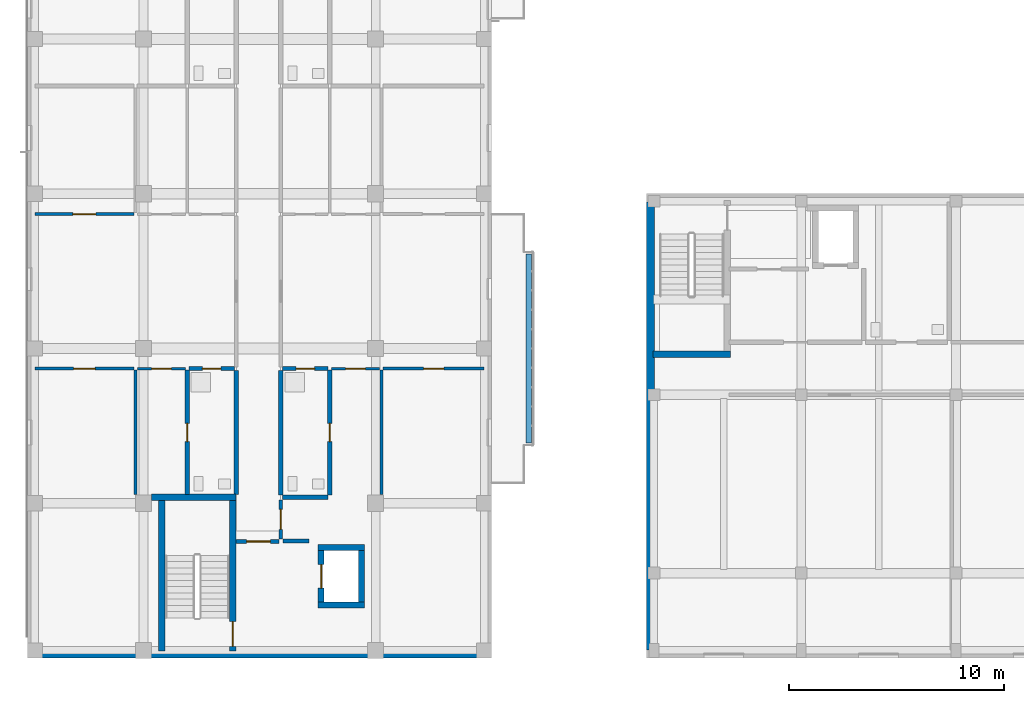
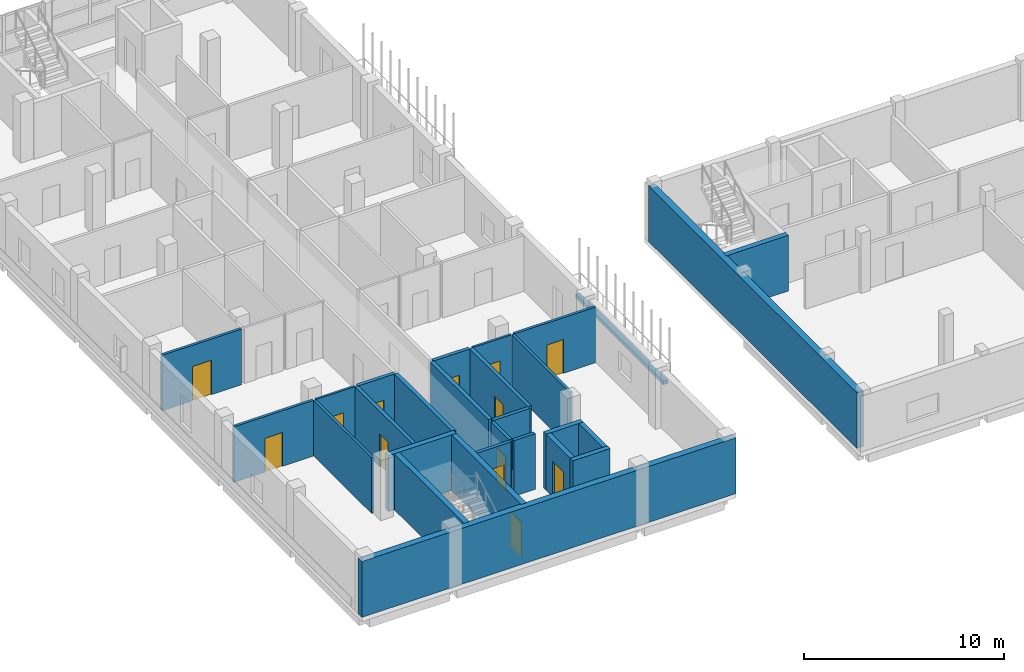
# One storey, part 34 of 73: 28 walls, 13 doors, 13 openings.
"""IFC4 building model written with IfcOpenShell, lengths in metres."""

from ifc_helpers import new_model, si_unit, derived_unit, direction, frame, frame_2d, origin, place, context, subcontext, project, spatial, rectangle, extrude, material, layer, layer_set, type_object, element, fill, save


model = new_model("IFC4")

# Units and contexts
model_context = context("Model", 3, precision=1e-05, world=origin(), true_north=direction((0.0, 1.0)))
body_context = subcontext(model_context, "Body", "Model", "MODEL_VIEW")
ifc_project = project(units=[si_unit("LENGTHUNIT", "METRE"), si_unit("AREAUNIT", "SQUARE_METRE"), si_unit("VOLUMEUNIT", "CUBIC_METRE"), si_unit("PLANEANGLEUNIT", "RADIAN"), si_unit("MASSUNIT", "GRAM", prefix="KILO"), derived_unit("THERMALTRANSMITTANCEUNIT", [(si_unit("MASSUNIT", "GRAM", prefix="KILO"), 1), (si_unit("TIMEUNIT", "SECOND"), -3), (si_unit("THERMODYNAMICTEMPERATUREUNIT", "KELVIN"), -1)])], contexts=[model_context])

# Site, building, storey
site_placement = place(None, origin())
site = spatial("IfcSite", under=ifc_project, at=site_placement, CompositionType="ELEMENT")
building_placement = place(site_placement, origin())
building = spatial("IfcBuilding", under=site, at=building_placement, Name="Ochrekiln Boulevard Commons", CompositionType="ELEMENT")
storey_placement = place(building_placement, frame((0.0, 0.0, 4.89990234375)))
storey = spatial("IfcBuildingStorey", under=building, at=storey_placement, Name="L01", CompositionType="ELEMENT", Elevation=4.89990234375)

# Walls
ifc_material_1 = material(Name="Desert ochre clinker brick masonry ASTM C216 Grade SW", Category="masonry")
ifc_layer_1 = layer(ifc_material_1, 0.3798828125)
ifc_layer_set_1 = layer_set([ifc_layer_1], Name="Desert ochre clinker brick masonry ASTM C216 Grade SW")
wall_type_1 = type_object("IfcWallType", Name="WL-EXT-ARC-380", PredefinedType="SOLIDWALL", material=ifc_layer_set_1)
wall_1_placement = place(storey_placement, frame((28.989990234375, 0.3798828125, 0.0), z_axis=(0.0, 0.0, 1.0), x_axis=(0.0, 1.0, 0.0)))
element("IfcWall", 1, at=wall_1_placement, inside=storey, type_object=wall_type_1, Name="West Boulevard Arcade L01 W Exterior Wall", PredefinedType="SOLIDWALL", context=body_context, shape_type="SweptSolid", body=[
    extrude(rectangle(XDim=20.840087890625, YDim=0.3798828125, at=frame_2d((10.419921875, 0.0))), origin(), (0.0, 0.0, 1.0), 3.400146484375),
])
ifc_material_2 = material(Name="Iron-spot brown clinker brick masonry ASTM C216 Grade SW", Category="masonry")
ifc_layer_2 = layer(ifc_material_2, 0.364990234375)
ifc_layer_set_2 = layer_set([ifc_layer_2], Name="Iron-spot brown clinker brick masonry ASTM C216 Grade SW")
wall_type_2 = type_object("IfcWallType", Name="WL-EXT-IRON-365", PredefinedType="SOLIDWALL", material=ifc_layer_set_2)
wall_2_placement = place(storey_placement, frame((0.0, 0.1826171875, 0.0), z_axis=(0.0, 0.0, 1.0), x_axis=(1.0, 0.0, 0.0)))
element("IfcWall", 2, at=wall_2_placement, inside=storey, type_object=wall_type_2, Name="Block D L01 S Exterior Wall", PredefinedType="SOLIDWALL", context=body_context, shape_type="SweptSolid", body=[
    extrude(rectangle(XDim=21.60009765625, YDim=0.364990234375, at=frame_2d((10.800048828125, 0.0))), origin(), (0.0, 0.0, 1.0), 3.4150390625),
])
ifc_material_3 = material(Name="Moisture-resistant cementitious tile backer wall")
ifc_layer_3 = layer(ifc_material_3, 0.199951171875)
ifc_layer_set_3 = layer_set([ifc_layer_3], Name="Moisture-resistant cementitious tile backer wall")
wall_type_3 = type_object("IfcWallType", Name="WL-PLM-200", PredefinedType="PLUMBINGWALL", material=ifc_layer_set_3)
wall_3_placement = place(storey_placement, frame((11.8720703125, 7.47509765625, 0.0), z_axis=(0.0, 0.0, 1.0), x_axis=(1.0, 0.0, 0.0)))
element("IfcWall", 3, at=wall_3_placement, inside=storey, type_object=wall_type_3, Name="L01 Interior Wall W-PW200", PredefinedType="PLUMBINGWALL", context=body_context, shape_type="SweptSolid", body=[
    extrude(rectangle(XDim=2.10791015625, YDim=0.199951171875, at=frame_2d((1.053955078125, 0.0))), origin(), (0.0, 0.0, 1.0), 3.39501953125),
])

# Wall, opening, door
wall_4_placement = place(storey_placement, frame((7.52001953125, 13.465087890625, 0.0), z_axis=(0.0, 0.0, 1.0), x_axis=(1.0, 0.0, 0.0)))
wall_4 = element("IfcWall", 4, at=wall_4_placement, inside=storey, type_object=wall_type_3, Name="L01 Interior Wall W-PW200", PredefinedType="PLUMBINGWALL", context=body_context, shape_type="SweptSolid", body=[
    extrude(rectangle(XDim=2.10791015625, YDim=0.199951171875, at=frame_2d((1.053955078125, 0.0))), origin(), (0.0, 0.0, 1.0), 3.39501953125),
])
opening_1_placement = place(wall_4_placement, frame((0.6201171875, 0.0, 0.0)))
opening_1 = element("IfcOpeningElement", 5, at=opening_1_placement, cuts=wall_4, Name="Opening D-L01-248", PredefinedType="OPENING", context=body_context, shape_type="SweptSolid", body=[
    extrude(rectangle(XDim=0.860107421875, YDim=2.0, at=frame_2d((0.43017578125, 1.0))), frame((0.0, 0.10986328125, 0.0), z_axis=(0.0, -1.0, 0.0), x_axis=(1.0, 0.0, 0.0)), (0.0, 0.0, 1.0), 0.219970703125),
])
ifc_material_4 = material(Name="Solid core architectural oak door leaf")
door_type_1 = type_object("IfcDoorType", Name="DR-INT-BTH-086", OperationType="NOTDEFINED", PredefinedType="DOOR", material=ifc_material_4)
door_1_placement = place(opening_1_placement, frame((0.860107421875, 0.0, 0.0), z_axis=(0.0, 0.0, 1.0), x_axis=(-1.0, 0.0, 0.0)))
door_1 = element("IfcDoor", 6, at=door_1_placement, inside=storey, type_object=door_type_1, Name="L01 Interior Door to Accessible Apartment Bathroom", OperationType="SINGLE_SWING_RIGHT", OverallHeight=2.0, OverallWidth=0.860107421875, PredefinedType="DOOR", context=body_context, shape_type="SweptSolid", body=[
    extrude(rectangle(XDim=0.860107421875, YDim=2.0, at=frame_2d((0.43017578125, 1.0))), frame((0.0, 0.02490234375, 0.0), z_axis=(0.0, -1.0, 0.0), x_axis=(1.0, 0.0, 0.0)), (0.0, 0.0, 1.0), 0.050048828125),
])
fill(opening_1, door_1)

wall_5_placement = place(storey_placement, frame((7.43994140625, 7.60009765625, 0.0), z_axis=(0.0, 0.0, 1.0), x_axis=(0.0, 1.0, 0.0)))
wall_5 = element("IfcWall", 7, at=wall_5_placement, inside=storey, type_object=wall_type_3, Name="L01 Interior Wall W-PW200", PredefinedType="PLUMBINGWALL", context=body_context, shape_type="SweptSolid", body=[
    extrude(rectangle(XDim=5.804931640625, YDim=0.199951171875, at=frame_2d((2.90234375, 0.0))), origin(), (0.0, 0.0, 1.0), 3.39501953125),
])
opening_2_placement = place(wall_5_placement, frame((2.468017578125, 0.0, 0.0)))
opening_2 = element("IfcOpeningElement", 8, at=opening_2_placement, cuts=wall_5, Name="Opening D-L01-254", PredefinedType="OPENING", context=body_context, shape_type="SweptSolid", body=[
    extrude(rectangle(XDim=0.85009765625, YDim=2.010009765625, at=frame_2d((0.425048828125, 1.0048828125))), frame((0.0, 0.10986328125, 0.0), z_axis=(0.0, -1.0, 0.0), x_axis=(1.0, 0.0, 0.0)), (0.0, 0.0, 1.0), 0.219970703125),
])
door_type_2 = type_object("IfcDoorType", Name="DR-INT-KIT-085", OperationType="NOTDEFINED", PredefinedType="DOOR", material=ifc_material_4)
door_2_placement = place(opening_2_placement, frame((0.85009765625, 0.0, 0.0), z_axis=(0.0, 0.0, 1.0), x_axis=(-1.0, 0.0, 0.0)))
door_2 = element("IfcDoor", 9, at=door_2_placement, inside=storey, type_object=door_type_2, Name="L01 Interior Door to Accessible Apartment Bathroom", OperationType="SINGLE_SWING_RIGHT", OverallHeight=2.010009765625, OverallWidth=0.85009765625, PredefinedType="DOOR", context=body_context, shape_type="SweptSolid", body=[
    extrude(rectangle(XDim=0.85009765625, YDim=2.010009765625, at=frame_2d((0.425048828125, 1.0048828125))), frame((0.0, 0.02490234375, 0.0), z_axis=(0.0, -1.0, 0.0), x_axis=(1.0, 0.0, 0.0)), (0.0, 0.0, 1.0), 0.050048828125),
])
fill(opening_2, door_2)

wall_6_placement = place(storey_placement, frame((11.8720703125, 13.465087890625, 0.0), z_axis=(0.0, 0.0, 1.0), x_axis=(1.0, 0.0, 0.0)))
wall_6 = element("IfcWall", 10, at=wall_6_placement, inside=storey, type_object=wall_type_3, Name="L01 Interior Wall W-PW200", PredefinedType="PLUMBINGWALL", context=body_context, shape_type="SweptSolid", body=[
    extrude(rectangle(XDim=2.10791015625, YDim=0.199951171875, at=frame_2d((1.053955078125, 0.0))), origin(), (0.0, 0.0, 1.0), 3.39501953125),
])
opening_3_placement = place(wall_6_placement, frame((0.6279296875, 0.0, 0.0)))
opening_3 = element("IfcOpeningElement", 11, at=opening_3_placement, cuts=wall_6, Name="Opening D-L01-259", PredefinedType="OPENING", context=body_context, shape_type="SweptSolid", body=[
    extrude(rectangle(XDim=0.860107421875, YDim=2.0, at=frame_2d((0.43017578125, 1.0))), frame((0.0, 0.10986328125, 0.0), z_axis=(0.0, -1.0, 0.0), x_axis=(1.0, 0.0, 0.0)), (0.0, 0.0, 1.0), 0.219970703125),
])
door_3_placement = place(opening_3_placement, frame((0.860107421875, 0.0, 0.0), z_axis=(0.0, 0.0, 1.0), x_axis=(-1.0, 0.0, 0.0)))
door_3 = element("IfcDoor", 12, at=door_3_placement, inside=storey, type_object=door_type_1, Name="L01 Interior Door to Apartment Bathroom", OperationType="SINGLE_SWING_LEFT", OverallHeight=2.0, OverallWidth=0.860107421875, PredefinedType="DOOR", context=body_context, shape_type="SweptSolid", body=[
    extrude(rectangle(XDim=0.860107421875, YDim=2.0, at=frame_2d((0.43017578125, 1.0))), frame((0.0, 0.02490234375, 0.0), z_axis=(0.0, -1.0, 0.0), x_axis=(1.0, 0.0, 0.0)), (0.0, 0.0, 1.0), 0.050048828125),
])
fill(opening_3, door_3)

wall_7_placement = place(storey_placement, frame((14.06005859375, 7.574951171875, 0.0), z_axis=(0.0, 0.0, 1.0), x_axis=(0.0, 1.0, 0.0)))
wall_7 = element("IfcWall", 13, at=wall_7_placement, inside=storey, type_object=wall_type_3, Name="L01 Interior Wall W-PW200", PredefinedType="PLUMBINGWALL", context=body_context, shape_type="SweptSolid", body=[
    extrude(rectangle(XDim=5.830078125, YDim=0.199951171875, at=frame_2d((2.9150390625, 0.0))), origin(), (0.0, 0.0, 1.0), 3.39501953125),
])
opening_4_placement = place(wall_7_placement, frame((2.491943359375, 0.0, 0.0)))
opening_4 = element("IfcOpeningElement", 14, at=opening_4_placement, cuts=wall_7, Name="Opening D-L01-265", PredefinedType="OPENING", context=body_context, shape_type="SweptSolid", body=[
    extrude(rectangle(XDim=0.85009765625, YDim=2.010009765625, at=frame_2d((0.425048828125, 1.0048828125))), frame((0.0, 0.10986328125, 0.0), z_axis=(0.0, -1.0, 0.0), x_axis=(1.0, 0.0, 0.0)), (0.0, 0.0, 1.0), 0.219970703125),
])
door_4_placement = place(opening_4_placement, origin())
door_4 = element("IfcDoor", 15, at=door_4_placement, inside=storey, type_object=door_type_2, Name="L01 Interior Door to Apartment Bathroom", OperationType="SINGLE_SWING_LEFT", OverallHeight=2.010009765625, OverallWidth=0.85009765625, PredefinedType="DOOR", context=body_context, shape_type="SweptSolid", body=[
    extrude(rectangle(XDim=0.85009765625, YDim=2.010009765625, at=frame_2d((0.425048828125, 1.0048828125))), frame((0.0, 0.02490234375, 0.0), z_axis=(0.0, -1.0, 0.0), x_axis=(1.0, 0.0, 0.0)), (0.0, 0.0, 1.0), 0.050048828125),
])
fill(opening_4, door_4)

# Walls
ifc_layer_4 = layer(ifc_material_3, 0.219970703125)
ifc_layer_set_4 = layer_set([ifc_layer_4], Name="Moisture-resistant cementitious tile backer wall")
wall_type_4 = type_object("IfcWallType", Name="WL-PLM-220", PredefinedType="PLUMBINGWALL", material=ifc_layer_set_4)
wall_8_placement = place(storey_placement, frame((9.7099609375, 7.60009765625, 0.0), z_axis=(0.0, 0.0, 1.0), x_axis=(0.0, 1.0, 0.0)))
element("IfcWall", 16, at=wall_8_placement, inside=storey, type_object=wall_type_4, Name="L01 Interior Wall W-PW220", PredefinedType="PLUMBINGWALL", context=body_context, shape_type="SweptSolid", body=[
    extrude(rectangle(XDim=5.784912109375, YDim=0.219970703125, at=frame_2d((2.892578125, 0.0))), origin(), (0.0, 0.0, 1.0), 3.39501953125),
])
wall_9_placement = place(storey_placement, frame((11.7900390625, 7.574951171875, 0.0), z_axis=(0.0, 0.0, 1.0), x_axis=(0.0, 1.0, 0.0)))
element("IfcWall", 17, at=wall_9_placement, inside=storey, type_object=wall_type_4, Name="L01 Interior Wall W-PW220", PredefinedType="PLUMBINGWALL", context=body_context, shape_type="SweptSolid", body=[
    extrude(rectangle(XDim=5.81005859375, YDim=0.219970703125, at=frame_2d((2.905029296875, 0.0))), origin(), (0.0, 0.0, 1.0), 3.39501953125),
])
ifc_material_5 = material(Name="Glazed architectural terracotta ASTM C1405", Category="masonry")
ifc_layer_5 = layer(ifc_material_5, 0.25)
ifc_layer_set_5 = layer_set([ifc_layer_5], Name="Glazed architectural terracotta ASTM C1405")
wall_type_5 = type_object("IfcWallType", Name="WL-PLN-250", PredefinedType="PARAPET", material=ifc_layer_set_5)
wall_10_placement = place(storey_placement, frame((23.320068359375, 10.010009765625, 0.0), z_axis=(0.0, 0.0, 1.0), x_axis=(0.0, 1.0, 0.0)))
element("IfcWall", 18, at=wall_10_placement, inside=storey, type_object=wall_type_5, Name="Block D L01 Balcony Terracotta Planter Box 1", PredefinedType="PARAPET", context=body_context, shape_type="SweptSolid", body=[
    extrude(rectangle(XDim=8.780029296875, YDim=0.25, at=frame_2d((4.39013671875, 0.0))), origin(), (0.0, 0.0, 1.0), 0.22998046875),
])

# Wall, opening, door
ifc_material_6 = material(Name="Fire-rated Type X gypsum board on steel studs", Category="steel")
ifc_layer_6 = layer(ifc_material_6, 0.1650390625)
ifc_layer_set_6 = layer_set([ifc_layer_6], Name="Fire-rated Type X gypsum board on steel studs")
wall_type_6 = type_object("IfcWallType", Name="WL-PT-CORR-165", PredefinedType="PARTITIONING", material=ifc_layer_set_6)
wall_11_placement = place(storey_placement, frame((11.7900390625, 5.530029296875, 0.0), z_axis=(0.0, 0.0, 1.0), x_axis=(0.0, 1.0, 0.0)))
wall_11 = element("IfcWall", 19, at=wall_11_placement, inside=storey, type_object=wall_type_6, Name="L01 Interior Wall W-PC165", PredefinedType="PARTITIONING", context=body_context, shape_type="SweptSolid", body=[
    extrude(rectangle(XDim=1.820068359375, YDim=0.1650390625, at=frame_2d((0.91015625, 0.0))), origin(), (0.0, 0.0, 1.0), 3.39501953125),
])
opening_5_placement = place(wall_11_placement, frame((0.4599609375, 0.0, 0.0)))
opening_5 = element("IfcOpeningElement", 20, at=opening_5_placement, cuts=wall_11, Name="Opening D-L01-243", PredefinedType="OPENING", context=body_context, shape_type="SweptSolid", body=[
    extrude(rectangle(XDim=0.919921875, YDim=2.0400390625, at=frame_2d((0.4599609375, 1.02001953125))), frame((0.0, 0.092529296875, 0.0), z_axis=(0.0, -1.0, 0.0), x_axis=(1.0, 0.0, 0.0)), (0.0, 0.0, 1.0), 0.18505859375),
])
ifc_material_7 = material(Name="Hollow metal fire-rated steel door assembly", Category="steel")
door_type_3 = type_object("IfcDoorType", Name="DR-SRV-90", OperationType="NOTDEFINED", PredefinedType="DOOR", material=ifc_material_7)
door_5_placement = place(opening_5_placement, frame((0.919921875, 0.0, 0.0), z_axis=(0.0, 0.0, 1.0), x_axis=(-1.0, 0.0, 0.0)))
door_5 = element("IfcDoor", 21, at=door_5_placement, inside=storey, type_object=door_type_3, Name="L01 Interior Door to Hydronic and Electrical Riser Room", OperationType="SINGLE_SWING_LEFT", OverallHeight=2.0400390625, OverallWidth=0.919921875, PredefinedType="DOOR", context=body_context, shape_type="SweptSolid", body=[
    extrude(rectangle(XDim=0.919921875, YDim=2.0400390625, at=frame_2d((0.4599609375, 1.02001953125))), frame((0.0, 0.02490234375, 0.0), z_axis=(0.0, -1.0, 0.0), x_axis=(1.0, 0.0, 0.0)), (0.0, 0.0, 1.0), 0.050048828125),
])
fill(opening_5, door_5)

# Wall
ifc_layer_7 = layer(ifc_material_6, 0.18994140625)
ifc_layer_set_7 = layer_set([ifc_layer_7], Name="Fire-rated Type X gypsum board on steel studs")
wall_type_7 = type_object("IfcWallType", Name="WL-PT-LBY-190", PredefinedType="PARTITIONING", material=ifc_layer_set_7)
wall_12_placement = place(storey_placement, frame((11.8798828125, 5.43505859375, 0.0), z_axis=(0.0, 0.0, 1.0), x_axis=(1.0, 0.0, 0.0)))
element("IfcWall", 22, at=wall_12_placement, inside=storey, type_object=wall_type_7, Name="L01 Interior Wall W-PL190", PredefinedType="PARTITIONING", context=body_context, shape_type="SweptSolid", body=[
    extrude(rectangle(XDim=1.22021484375, YDim=0.18994140625, at=frame_2d((0.610107421875, 0.0))), origin(), (0.0, 0.0, 1.0), 3.39501953125),
])

# Wall, opening, door
wall_13_placement = place(storey_placement, frame((9.699951171875, 5.419921875, 0.0), z_axis=(0.0, 0.0, 1.0), x_axis=(1.0, 0.0, 0.0)))
wall_13 = element("IfcWall", 23, at=wall_13_placement, inside=storey, type_object=wall_type_7, Name="L01 Interior Wall W-PL190", PredefinedType="PARTITIONING", context=body_context, shape_type="SweptSolid", body=[
    extrude(rectangle(XDim=2.0, YDim=0.18994140625, at=frame_2d((1.0, 0.0))), origin(), (0.0, 0.0, 1.0), 3.39501953125),
])
opening_6_placement = place(wall_13_placement, frame((0.5, 0.0, 0.0)))
opening_6 = element("IfcOpeningElement", 24, at=opening_6_placement, cuts=wall_13, Name="Opening D-L01-241", PredefinedType="OPENING", context=body_context, shape_type="SweptSolid", body=[
    extrude(rectangle(XDim=1.10009765625, YDim=2.1201171875, at=frame_2d((0.550048828125, 1.06005859375))), frame((0.0, 0.10498046875, 0.0), z_axis=(0.0, -1.0, 0.0), x_axis=(1.0, 0.0, 0.0)), (0.0, 0.0, 1.0), 0.2099609375),
])
door_type_4 = type_object("IfcDoorType", Name="DR-LOBBY-60", OperationType="NOTDEFINED", PredefinedType="DOOR", material=ifc_material_7)
door_6_placement = place(opening_6_placement, frame((1.10009765625, 0.0, 0.0), z_axis=(0.0, 0.0, 1.0), x_axis=(-1.0, 0.0, 0.0)))
door_6 = element("IfcDoor", 25, at=door_6_placement, inside=storey, type_object=door_type_4, Name="L01 Interior Door to Passenger Elevator Lobby", OperationType="SINGLE_SWING_LEFT", OverallHeight=2.1201171875, OverallWidth=1.10009765625, PredefinedType="DOOR", context=body_context, shape_type="SweptSolid", body=[
    extrude(rectangle(XDim=1.10009765625, YDim=2.1201171875, at=frame_2d((0.550048828125, 1.06005859375))), frame((0.0, 0.02490234375, 0.0), z_axis=(0.0, -1.0, 0.0), x_axis=(1.0, 0.0, 0.0)), (0.0, 0.0, 1.0), 0.050048828125),
])
fill(opening_6, door_6)

ifc_layer_8 = layer(ifc_material_6, 0.1201171875)
ifc_layer_set_8 = layer_set([ifc_layer_8], Name="Fire-rated Type X gypsum board on steel studs")
wall_type_8 = type_object("IfcWallType", Name="WL-PT-LGT-120", PredefinedType="PARTITIONING", material=ifc_layer_set_8)
wall_14_placement = place(storey_placement, frame((5.110107421875, 13.465087890625, 0.0), z_axis=(0.0, 0.0, 1.0), x_axis=(1.0, 0.0, 0.0)))
wall_14 = element("IfcWall", 26, at=wall_14_placement, inside=storey, type_object=wall_type_8, Name="L01 Interior Wall W-PL120", PredefinedType="PARTITIONING", context=body_context, shape_type="SweptSolid", body=[
    extrude(rectangle(XDim=2.25, YDim=0.1201171875, at=frame_2d((1.125, 0.0))), origin(), (0.0, 0.0, 1.0), 3.39501953125),
])
opening_7_placement = place(wall_14_placement, frame((0.6650390625, 0.0, 0.0)))
opening_7 = element("IfcOpeningElement", 27, at=opening_7_placement, cuts=wall_14, Name="Opening D-L01-251", PredefinedType="OPENING", context=body_context, shape_type="SweptSolid", body=[
    extrude(rectangle(XDim=0.919921875, YDim=2.02001953125, at=frame_2d((0.4599609375, 1.010009765625))), frame((0.0, 0.070068359375, 0.0), z_axis=(0.0, -1.0, 0.0), x_axis=(1.0, 0.0, 0.0)), (0.0, 0.0, 1.0), 0.14013671875),
])
door_type_5 = type_object("IfcDoorType", Name="DR-INT-KIT-092", OperationType="NOTDEFINED", PredefinedType="DOOR", material=ifc_material_4)
door_7_placement = place(opening_7_placement, frame((0.919921875, 0.0, 0.0), z_axis=(0.0, 0.0, 1.0), x_axis=(-1.0, 0.0, 0.0)))
door_7 = element("IfcDoor", 28, at=door_7_placement, inside=storey, type_object=door_type_5, Name="L01 Interior Door to Apartment Walk-In Wardrobe", OperationType="SINGLE_SWING_LEFT", OverallHeight=2.02001953125, OverallWidth=0.919921875, PredefinedType="DOOR", context=body_context, shape_type="SweptSolid", body=[
    extrude(rectangle(XDim=0.919921875, YDim=2.02001953125, at=frame_2d((0.4599609375, 1.010009765625))), frame((0.0, 0.02490234375, 0.0), z_axis=(0.0, -1.0, 0.0), x_axis=(1.0, 0.0, 0.0)), (0.0, 0.0, 1.0), 0.050048828125),
])
fill(opening_7, door_7)

wall_15_placement = place(storey_placement, frame((14.139892578125, 13.465087890625, 0.0), z_axis=(0.0, 0.0, 1.0), x_axis=(1.0, 0.0, 0.0)))
wall_15 = element("IfcWall", 29, at=wall_15_placement, inside=storey, type_object=wall_type_8, Name="L01 Interior Wall W-PL120", PredefinedType="PARTITIONING", context=body_context, shape_type="SweptSolid", body=[
    extrude(rectangle(XDim=2.25, YDim=0.1201171875, at=frame_2d((1.125, 0.0))), origin(), (0.0, 0.0, 1.0), 3.39501953125),
])
opening_8_placement = place(wall_15_placement, frame((0.6650390625, 0.0, 0.0)))
opening_8 = element("IfcOpeningElement", 30, at=opening_8_placement, cuts=wall_15, Name="Opening D-L01-262", PredefinedType="OPENING", context=body_context, shape_type="SweptSolid", body=[
    extrude(rectangle(XDim=0.919921875, YDim=2.02001953125, at=frame_2d((0.4599609375, 1.010009765625))), frame((0.0, 0.070068359375, 0.0), z_axis=(0.0, -1.0, 0.0), x_axis=(1.0, 0.0, 0.0)), (0.0, 0.0, 1.0), 0.14013671875),
])
door_8_placement = place(opening_8_placement, frame((0.919921875, 0.0, 0.0), z_axis=(0.0, 0.0, 1.0), x_axis=(-1.0, 0.0, 0.0)))
door_8 = element("IfcDoor", 31, at=door_8_placement, inside=storey, type_object=door_type_5, Name="L01 Interior Door to Apartment Walk-In Wardrobe", OperationType="SINGLE_SWING_RIGHT", OverallHeight=2.02001953125, OverallWidth=0.919921875, PredefinedType="DOOR", context=body_context, shape_type="SweptSolid", body=[
    extrude(rectangle(XDim=0.919921875, YDim=2.02001953125, at=frame_2d((0.4599609375, 1.010009765625))), frame((0.0, 0.02490234375, 0.0), z_axis=(0.0, -1.0, 0.0), x_axis=(1.0, 0.0, 0.0)), (0.0, 0.0, 1.0), 0.050048828125),
])
fill(opening_8, door_8)

ifc_layer_9 = layer(ifc_material_6, 0.14990234375)
ifc_layer_set_9 = layer_set([ifc_layer_9], Name="Fire-rated Type X gypsum board on steel studs")
wall_type_9 = type_object("IfcWallType", Name="WL-PT-STD-150", PredefinedType="PARTITIONING", material=ifc_layer_set_9)
wall_16_placement = place(storey_placement, frame((0.35009765625, 13.465087890625, 0.0), z_axis=(0.0, 0.0, 1.0), x_axis=(1.0, 0.0, 0.0)))
wall_16 = element("IfcWall", 32, at=wall_16_placement, inside=storey, type_object=wall_type_9, Name="L01 Interior Wall W-PS150", PredefinedType="PARTITIONING", context=body_context, shape_type="SweptSolid", body=[
    extrude(rectangle(XDim=4.599853515625, YDim=0.14990234375, at=frame_2d((2.2998046875, 0.0))), origin(), (0.0, 0.0, 1.0), 3.39501953125),
])
opening_9_placement = place(wall_16_placement, frame((1.800048828125, 0.0, 0.0)))
opening_9 = element("IfcOpeningElement", 33, at=opening_9_placement, cuts=wall_16, Name="Opening D-L01-250", PredefinedType="OPENING", context=body_context, shape_type="SweptSolid", body=[
    extrude(rectangle(XDim=1.0, YDim=2.06005859375, at=frame_2d((0.5, 1.030029296875))), frame((0.0, 0.0849609375, 0.0), z_axis=(0.0, -1.0, 0.0), x_axis=(1.0, 0.0, 0.0)), (0.0, 0.0, 1.0), 0.169921875),
])
door_type_6 = type_object("IfcDoorType", Name="DR-INT-BED-100", OperationType="NOTDEFINED", PredefinedType="DOOR", material=ifc_material_4)
door_9_placement = place(opening_9_placement, frame((1.0, 0.0, 0.0), z_axis=(0.0, 0.0, 1.0), x_axis=(-1.0, 0.0, 0.0)))
door_9 = element("IfcDoor", 34, at=door_9_placement, inside=storey, type_object=door_type_6, Name="L01 Interior Door to Primary Apartment Bedroom", OperationType="SINGLE_SWING_RIGHT", OverallHeight=2.06005859375, OverallWidth=1.0, PredefinedType="DOOR", context=body_context, shape_type="SweptSolid", body=[
    extrude(rectangle(XDim=1.0, YDim=2.06005859375, at=frame_2d((0.5, 1.030029296875))), frame((0.0, 0.02490234375, 0.0), z_axis=(0.0, -1.0, 0.0), x_axis=(1.0, 0.0, 0.0)), (0.0, 0.0, 1.0), 0.050048828125),
])
fill(opening_9, door_9)

wall_17_placement = place(storey_placement, frame((0.35009765625, 20.653076171875, 0.0), z_axis=(0.0, 0.0, 1.0), x_axis=(1.0, 0.0, 0.0)))
wall_17 = element("IfcWall", 35, at=wall_17_placement, inside=storey, type_object=wall_type_9, Name="L01 Interior Wall W-PS150", PredefinedType="PARTITIONING", context=body_context, shape_type="SweptSolid", body=[
    extrude(rectangle(XDim=4.599853515625, YDim=0.14990234375, at=frame_2d((2.2998046875, 0.0))), origin(), (0.0, 0.0, 1.0), 3.39501953125),
])
opening_10_placement = place(wall_17_placement, frame((1.760009765625, 0.0, 0.0)))
opening_10 = element("IfcOpeningElement", 36, at=opening_10_placement, cuts=wall_17, Name="Opening D-L01-252", PredefinedType="OPENING", context=body_context, shape_type="SweptSolid", body=[
    extrude(rectangle(XDim=1.080078125, YDim=2.10009765625, at=frame_2d((0.5400390625, 1.050048828125))), frame((0.0, 0.0849609375, 0.0), z_axis=(0.0, -1.0, 0.0), x_axis=(1.0, 0.0, 0.0)), (0.0, 0.0, 1.0), 0.169921875),
])
door_type_7 = type_object("IfcDoorType", Name="DR-INT-BED-108", OperationType="NOTDEFINED", PredefinedType="DOOR", material=ifc_material_4)
door_10_placement = place(opening_10_placement, origin())
door_10 = element("IfcDoor", 37, at=door_10_placement, inside=storey, type_object=door_type_7, Name="L01 Interior Door to Secondary Apartment Bedroom", OperationType="SINGLE_SWING_RIGHT", OverallHeight=2.10009765625, OverallWidth=1.080078125, PredefinedType="DOOR", context=body_context, shape_type="SweptSolid", body=[
    extrude(rectangle(XDim=1.080078125, YDim=2.10009765625, at=frame_2d((0.5400390625, 1.050048828125))), frame((0.0, 0.02490234375, 0.0), z_axis=(0.0, -1.0, 0.0), x_axis=(1.0, 0.0, 0.0)), (0.0, 0.0, 1.0), 0.050048828125),
])
fill(opening_10, door_10)

# Wall
wall_18_placement = place(storey_placement, frame((5.030029296875, 7.60009765625, 0.0), z_axis=(0.0, 0.0, 1.0), x_axis=(0.0, 1.0, 0.0)))
element("IfcWall", 38, at=wall_18_placement, inside=storey, type_object=wall_type_9, Name="L01 Interior Wall W-PS150", PredefinedType="PARTITIONING", context=body_context, shape_type="SweptSolid", body=[
    extrude(rectangle(XDim=5.789794921875, YDim=0.14990234375, at=frame_2d((2.89501953125, 0.0))), origin(), (0.0, 0.0, 1.0), 3.39501953125),
])

# Wall, opening, door
wall_19_placement = place(storey_placement, frame((16.550048828125, 13.465087890625, 0.0), z_axis=(0.0, 0.0, 1.0), x_axis=(1.0, 0.0, 0.0)))
wall_19 = element("IfcWall", 39, at=wall_19_placement, inside=storey, type_object=wall_type_9, Name="L01 Interior Wall W-PS150", PredefinedType="PARTITIONING", context=body_context, shape_type="SweptSolid", body=[
    extrude(rectangle(XDim=4.699951171875, YDim=0.14990234375, at=frame_2d((2.35009765625, 0.0))), origin(), (0.0, 0.0, 1.0), 3.39501953125),
])
opening_11_placement = place(wall_19_placement, frame((1.8798828125, 0.0, 0.0)))
opening_11 = element("IfcOpeningElement", 40, at=opening_11_placement, cuts=wall_19, Name="Opening D-L01-261", PredefinedType="OPENING", context=body_context, shape_type="SweptSolid", body=[
    extrude(rectangle(XDim=0.93994140625, YDim=2.06005859375, at=frame_2d((0.469970703125, 1.030029296875))), frame((0.0, 0.0849609375, 0.0), z_axis=(0.0, -1.0, 0.0), x_axis=(1.0, 0.0, 0.0)), (0.0, 0.0, 1.0), 0.169921875),
])
door_type_8 = type_object("IfcDoorType", Name="DR-INT-BED-094", OperationType="NOTDEFINED", PredefinedType="DOOR", material=ifc_material_4)
door_11_placement = place(opening_11_placement, frame((0.93994140625, 0.0, 0.0), z_axis=(0.0, 0.0, 1.0), x_axis=(-1.0, 0.0, 0.0)))
door_11 = element("IfcDoor", 41, at=door_11_placement, inside=storey, type_object=door_type_8, Name="L01 Interior Door to Primary Apartment Bedroom", OperationType="SINGLE_SWING_LEFT", OverallHeight=2.06005859375, OverallWidth=0.93994140625, PredefinedType="DOOR", context=body_context, shape_type="SweptSolid", body=[
    extrude(rectangle(XDim=0.93994140625, YDim=2.06005859375, at=frame_2d((0.469970703125, 1.030029296875))), frame((0.0, 0.02490234375, 0.0), z_axis=(0.0, -1.0, 0.0), x_axis=(1.0, 0.0, 0.0)), (0.0, 0.0, 1.0), 0.050048828125),
])
fill(opening_11, door_11)

# Walls
wall_20_placement = place(storey_placement, frame((16.469970703125, 7.60009765625, 0.0), z_axis=(0.0, 0.0, 1.0), x_axis=(0.0, 1.0, 0.0)))
element("IfcWall", 42, at=wall_20_placement, inside=storey, type_object=wall_type_9, Name="L01 Interior Wall W-PS150", PredefinedType="PARTITIONING", context=body_context, shape_type="SweptSolid", body=[
    extrude(rectangle(XDim=5.789794921875, YDim=0.14990234375, at=frame_2d((2.89501953125, 0.0))), origin(), (0.0, 0.0, 1.0), 3.39501953125),
])
ifc_material_8 = material(Name="Concrete C40/50", Category="concrete")
ifc_layer_10 = layer(ifc_material_8, 0.27490234375)
ifc_layer_set_10 = layer_set([ifc_layer_10], Name="Concrete C40/50")
wall_type_10 = type_object("IfcWallType", Name="WL-SH-275", PredefinedType="SHEAR", material=ifc_layer_set_10)
for number, where, z_axis, x_axis, name in (
    (43, (13.52490234375, 2.46240234375, 0.0), (0.0, 0.0, 1.0), (1.0, 0.0, 0.0), "Elevator LP-D1 L01 Hoistway Shear Wall"),
    (44, (13.52490234375, 5.137451171875, 0.0), (0.0, 0.0, 1.0), (1.0, 0.0, 0.0), "Elevator LP-D1 L01 Hoistway Shear Wall"),
):
    element("IfcWall", number, at=place(storey_placement, frame(where, z_axis=z_axis, x_axis=x_axis)), inside=storey, type_object=wall_type_10, Name=name, PredefinedType="SHEAR", context=body_context, shape_type="SweptSolid", body=[
        extrude(rectangle(XDim=2.150146484375, YDim=0.27490234375, at=frame_2d((1.0751953125, 0.0))), origin(), (0.0, 0.0, 1.0), 3.4150390625),
    ])

# Wall, opening, door
wall_21_placement = place(storey_placement, frame((13.66259765625, 2.60009765625, 0.0), z_axis=(0.0, 0.0, 1.0), x_axis=(0.0, 1.0, 0.0)))
wall_21 = element("IfcWall", 45, at=wall_21_placement, inside=storey, type_object=wall_type_10, Name="Elevator LP-D1 L01 Hoistway Shear Wall", PredefinedType="SHEAR", context=body_context, shape_type="SweptSolid", body=[
    extrude(rectangle(XDim=2.39990234375, YDim=0.27490234375, at=frame_2d((1.199951171875, 0.0))), origin(), (0.0, 0.0, 1.0), 3.4150390625),
])
opening_12_placement = place(wall_21_placement, frame((0.64990234375, 0.0, 0.0)))
opening_12 = element("IfcOpeningElement", 46, at=opening_12_placement, cuts=wall_21, Name="Opening LD-LP-D1-L01", PredefinedType="OPENING", context=body_context, shape_type="SweptSolid", body=[
    extrude(rectangle(XDim=1.10009765625, YDim=2.14990234375, at=frame_2d((0.550048828125, 1.074951171875))), frame((0.0, 0.1474609375, 0.0), z_axis=(0.0, -1.0, 0.0), x_axis=(1.0, 0.0, 0.0)), (0.0, 0.0, 1.0), 0.294921875),
])
ifc_material_9 = material(Name="Brushed stainless steel 316 elevator cab and doors", Category="steel")
door_type_9 = type_object("IfcDoorType", Name="DR-LIFT-LD90", OperationType="SLIDING_TO_LEFT", PredefinedType="DOOR", material=ifc_material_9)
door_12_placement = place(opening_12_placement, origin())
door_12 = element("IfcDoor", 47, at=door_12_placement, inside=storey, type_object=door_type_9, Name="Elevator LP-D1 L01 Sliding Landing Door LD-LP-D1-L01", OperationType="SLIDING_TO_LEFT", OverallHeight=2.14990234375, OverallWidth=1.10009765625, PredefinedType="DOOR", context=body_context, shape_type="SweptSolid", body=[
    extrude(rectangle(XDim=1.10009765625, YDim=2.14990234375, at=frame_2d((0.550048828125, 1.074951171875))), frame((0.0, 0.02490234375, 0.0), z_axis=(0.0, -1.0, 0.0), x_axis=(1.0, 0.0, 0.0)), (0.0, 0.0, 1.0), 0.050048828125),
])
fill(opening_12, door_12)

# Walls
wall_22_placement = place(storey_placement, frame((15.53759765625, 2.60009765625, 0.0), z_axis=(0.0, 0.0, 1.0), x_axis=(0.0, 1.0, 0.0)))
element("IfcWall", 48, at=wall_22_placement, inside=storey, type_object=wall_type_10, Name="Elevator LP-D1 L01 Hoistway Shear Wall", PredefinedType="SHEAR", context=body_context, shape_type="SweptSolid", body=[
    extrude(rectangle(XDim=2.39990234375, YDim=0.27490234375, at=frame_2d((1.199951171875, 0.0))), origin(), (0.0, 0.0, 1.0), 3.4150390625),
])
ifc_layer_11 = layer(ifc_material_8, 0.300048828125)
ifc_layer_set_11 = layer_set([ifc_layer_11], Name="Concrete C40/50")
wall_type_11 = type_object("IfcWallType", Name="WL-SH-300", PredefinedType="SHEAR", material=ifc_layer_set_11)
wall_23_placement = place(storey_placement, frame((5.77490234375, 7.469970703125, 0.0), z_axis=(0.0, 0.0, 1.0), x_axis=(1.0, 0.0, 0.0)))
element("IfcWall", 49, at=wall_23_placement, inside=storey, type_object=wall_type_11, Name="Stair ST-D1 L01 Core Shear Wall N", PredefinedType="SHEAR", context=body_context, shape_type="SweptSolid", body=[
    extrude(rectangle(XDim=3.925048828125, YDim=0.300048828125, at=frame_2d((1.96240234375, 0.0))), origin(), (0.0, 0.0, 1.0), 3.4150390625),
])
wall_24_placement = place(storey_placement, frame((6.25, 0.320068359375, 0.0), z_axis=(0.0, 0.0, 1.0), x_axis=(0.0, 1.0, 0.0)))
element("IfcWall", 50, at=wall_24_placement, inside=storey, type_object=wall_type_11, Name="Stair ST-D1 L01 Core Shear Wall W", PredefinedType="SHEAR", context=body_context, shape_type="SweptSolid", body=[
    extrude(rectangle(XDim=7.0, YDim=0.300048828125, at=frame_2d((3.5, 0.0))), origin(), (0.0, 0.0, 1.0), 3.4150390625),
])

# Wall, opening, door
wall_25_placement = place(storey_placement, frame((9.550048828125, 0.320068359375, 0.0), z_axis=(0.0, 0.0, 1.0), x_axis=(0.0, 1.0, 0.0)))
wall_25 = element("IfcWall", 51, at=wall_25_placement, inside=storey, type_object=wall_type_11, Name="Stair ST-D1 L01 Core Shear Wall E", PredefinedType="SHEAR", context=body_context, shape_type="SweptSolid", body=[
    extrude(rectangle(XDim=7.0, YDim=0.300048828125, at=frame_2d((3.5, 0.0))), origin(), (0.0, 0.0, 1.0), 3.4150390625),
])
opening_13_placement = place(wall_25_placement, frame((0.22509765625, 0.0, 0.0)))
opening_13 = element("IfcOpeningElement", 52, at=opening_13_placement, cuts=wall_25, Name="Opening D-L01-ST-D1", PredefinedType="OPENING", context=body_context, shape_type="SweptSolid", body=[
    extrude(rectangle(XDim=1.14990234375, YDim=2.1201171875, at=frame_2d((0.574951171875, 1.06005859375))), frame((0.0, 0.159912109375, 0.0), z_axis=(0.0, -1.0, 0.0), x_axis=(1.0, 0.0, 0.0)), (0.0, 0.0, 1.0), 0.320068359375),
])
door_type_10 = type_object("IfcDoorType", Name="DR-STAIR-90", OperationType="NOTDEFINED", PredefinedType="DOOR", material=ifc_material_7)
door_13_placement = place(opening_13_placement, origin())
door_13 = element("IfcDoor", 53, at=door_13_placement, inside=storey, type_object=door_type_10, Name="Enclosed Exit Stair ST-D1 L01 Rated Door", OperationType="SINGLE_SWING_LEFT", OverallHeight=2.1201171875, OverallWidth=1.14990234375, PredefinedType="DOOR", context=body_context, shape_type="SweptSolid", body=[
    extrude(rectangle(XDim=1.14990234375, YDim=2.1201171875, at=frame_2d((0.574951171875, 1.06005859375))), frame((0.0, 0.02490234375, 0.0), z_axis=(0.0, -1.0, 0.0), x_axis=(1.0, 0.0, 0.0)), (0.0, 0.0, 1.0), 0.050048828125),
])
fill(opening_13, door_13)

# Wall
wall_26_placement = place(storey_placement, frame((29.10009765625, 14.1298828125, 0.0), z_axis=(0.0, 0.0, 1.0), x_axis=(1.0, 0.0, 0.0)))
element("IfcWall", 54, at=wall_26_placement, inside=storey, type_object=wall_type_11, Name="Stair ST-W1 L01 Core Shear Wall S", PredefinedType="SHEAR", context=body_context, shape_type="SweptSolid", body=[
    extrude(rectangle(XDim=3.599853515625, YDim=0.300048828125, at=frame_2d((1.7998046875, 0.0))), origin(), (0.0, 0.0, 1.0), 3.400146484375),
])

save(model, "model.ifc")
